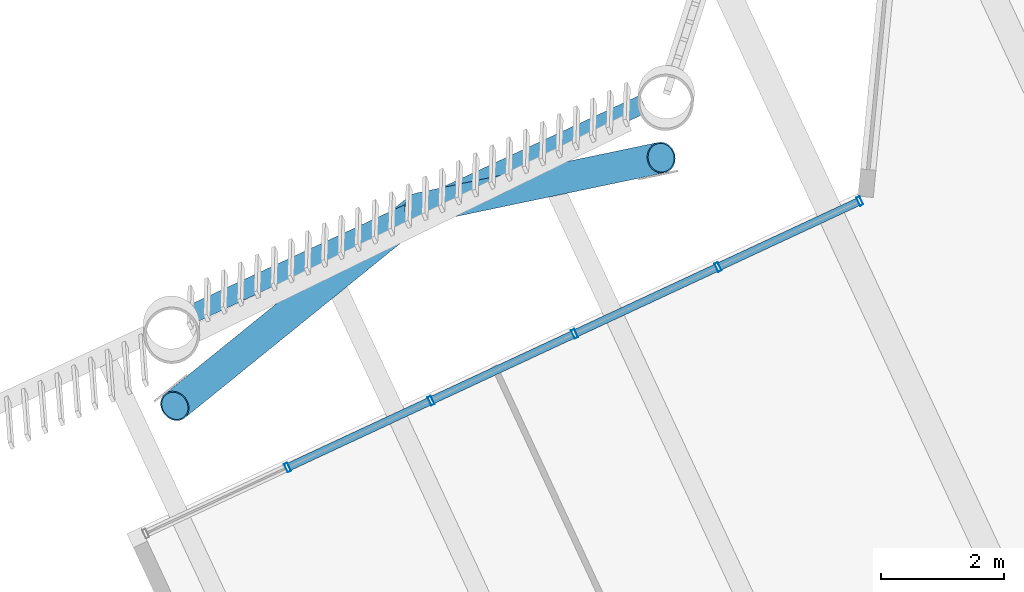
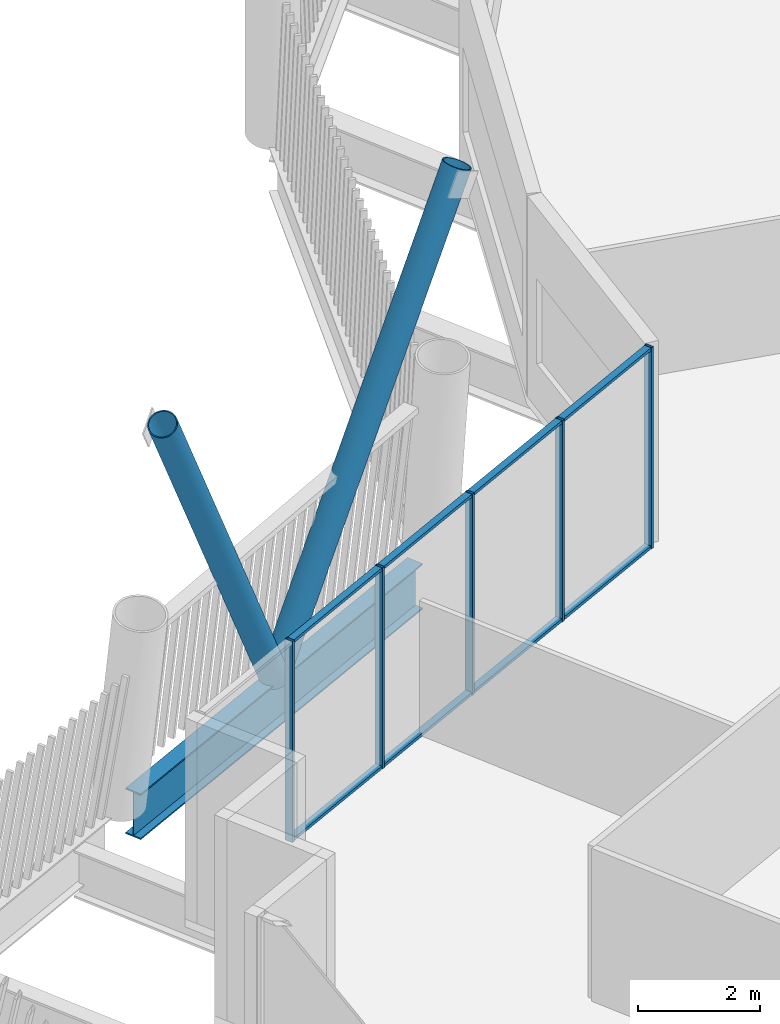
# One storey, part 12 of 36: 15 members, 1 beam, 1 element without a shape of its own.
"""IFC4 building model written with IfcOpenShell, lengths in metres."""

import ifcopenshell
import ifcopenshell.guid

model = None  # the IFC model being written
_history = None  # IfcOwnerHistory: only IFC2X3 demands one
_inside = {}  # id of a spatial element -> (the spatial element, [elements in it])
_under = {}  # id of a project, library or spatial element -> (it, [spatial elements below it])
_declared = {}  # id of a project -> (the project, [libraries it declares])
_typed = {}  # id of a type object -> (the type object, [elements of that type])
_made_of = {}  # id of a material, layer set ... -> (it, [elements and type objects made of it])


def new_model(schema):
    """Start an empty IFC model of exactly this schema.

    Asked for "IFC4X3", IfcOpenShell would pick the latest addendum, in which some entities
    have other attributes; the version numbers below select the first issue.
    IFC2X3 requires an IfcOwnerHistory on every rooted entity: one is made here for all.
    """
    global model, _history
    if schema == "IFC4X3":
        model = ifcopenshell.file(schema_version=(4, 3, 0, 0))
    else:
        model = ifcopenshell.file(schema=schema)
    _inside.clear()
    _under.clear()
    _declared.clear()
    _typed.clear()
    _made_of.clear()
    _history = None
    if model.schema == "IFC2X3":
        org = make("IfcOrganization", Name="unknown")
        user = make(
            "IfcPersonAndOrganization",
            ThePerson=make("IfcPerson", FamilyName="unknown"),
            TheOrganization=org,
        )
        app = make(
            "IfcApplication",
            ApplicationDeveloper=org,
            Version="unknown",
            ApplicationFullName="unknown",
            ApplicationIdentifier="unknown",
        )
        _history = make(
            "IfcOwnerHistory",
            OwningUser=user,
            OwningApplication=app,
            ChangeAction="ADDED",
            CreationDate=0,
        )
    return model


def make(cls, **values):
    """One entity of the class cls with the attributes given. An attribute that is None is left unset."""
    return model.create_entity(
        cls, **{name: value for name, value in values.items() if value is not None}
    )


def rooted(cls, **values):
    """An entity with a GlobalId (a new one), such as an element, a storey or a relation."""
    return make(cls, GlobalId=ifcopenshell.guid.new(), OwnerHistory=_history, **values)


def si_unit(unit_type, name, prefix=None):
    """IfcSIUnit, for example si_unit("LENGTHUNIT", "METRE", prefix="MILLI")."""
    return make("IfcSIUnit", UnitType=unit_type, Prefix=prefix, Name=name)


def assignment(units):
    """IfcUnitAssignment: the units of a project."""
    return None if units is None else make("IfcUnitAssignment", Units=units)


def point(xyz):
    """IfcCartesianPoint."""
    return None if xyz is None else make("IfcCartesianPoint", Coordinates=xyz)


def direction(xyz):
    """IfcDirection."""
    return None if xyz is None else make("IfcDirection", DirectionRatios=xyz)


def frame(location, z_axis=None, x_axis=None):
    """IfcAxis2Placement3D, a coordinate frame: its origin and axes. An axis left out is left unset."""
    return make(
        "IfcAxis2Placement3D",
        Location=point(location),
        Axis=direction(z_axis),
        RefDirection=direction(x_axis),
    )


def frame_2d(location, x_axis=None):
    """IfcAxis2Placement2D, a coordinate frame in the plane: its origin and x axis."""
    return make(
        "IfcAxis2Placement2D", Location=point(location), RefDirection=direction(x_axis)
    )


def origin():
    """The frame at (0, 0, 0) with its axes left unset."""
    return frame((0.0, 0.0, 0.0))


def origin_2d():
    """The frame at (0, 0) in the plane with its x axis left unset."""
    return frame_2d((0.0, 0.0))


def place(relative_to, where):
    """IfcLocalPlacement: puts the frame where relative to a parent placement (None: the world)."""
    return make(
        "IfcLocalPlacement", PlacementRelTo=relative_to, RelativePlacement=where
    )


def context(
    kind, dimensions, precision=None, world=None, true_north=None, identifier=None
):
    """IfcGeometricRepresentationContext, for example the 3D "Model" context."""
    return make(
        "IfcGeometricRepresentationContext",
        ContextIdentifier=identifier,
        ContextType=kind,
        CoordinateSpaceDimension=dimensions,
        Precision=precision,
        WorldCoordinateSystem=world,
        TrueNorth=true_north,
    )


def subcontext(parent, identifier, kind, view, scale=None):
    """IfcGeometricRepresentationSubContext, for example "Body" below "Model"."""
    return make(
        "IfcGeometricRepresentationSubContext",
        ContextIdentifier=identifier,
        ContextType=kind,
        ParentContext=parent,
        TargetScale=scale,
        TargetView=view,
    )


def project(units=None, contexts=None):
    """IfcProject with its units and contexts."""
    return rooted(
        "IfcProject",
        Name="project",
        RepresentationContexts=contexts,
        UnitsInContext=assignment(units),
    )


def spatial(cls, under=None, at=None, **own):
    """A site, building, storey or space (cls), placed at a placement, below another one or the project."""
    s = rooted(cls, ObjectPlacement=at, **own)
    if under is not None:
        _under.setdefault(under.id(), (under, []))[1].append(s)
    return s


def profile(cls, at=None, kind="AREA", **sizes):
    """A parametric profile (cls). Its sizes go by their IFC names, for example OverallWidth=200.0."""
    return make(cls, ProfileType=kind, Position=at, **sizes)


def hollow_rectangle(**sizes):
    """IfcRectangleHollowProfileDef."""
    return profile("IfcRectangleHollowProfileDef", **sizes)


def hollow_circle(**sizes):
    """IfcCircleHollowProfileDef."""
    return profile("IfcCircleHollowProfileDef", **sizes)


def i_section(**sizes):
    """IfcIShapeProfileDef."""
    return profile("IfcIShapeProfileDef", **sizes)


def extrude(swept, where, along, depth):
    """IfcExtrudedAreaSolid: the profile swept, set in the frame where, extruded along a direction by depth."""
    return make(
        "IfcExtrudedAreaSolid",
        SweptArea=swept,
        Position=where,
        ExtrudedDirection=direction(along),
        Depth=depth,
    )


def shape(context_of_items, identifier, shape_type, items):
    """IfcShapeRepresentation: the items that make up one representation, for example the "Body"."""
    return make(
        "IfcShapeRepresentation",
        ContextOfItems=context_of_items,
        RepresentationIdentifier=identifier,
        RepresentationType=shape_type,
        Items=items,
    )


def material(Name=None, Category=None):
    """IfcMaterial."""
    return make("IfcMaterial", Name=Name, Category=Category)


def layer(
    of_material, thickness, ventilated=None, Name=None, Category=None, Priority=None
):
    """IfcMaterialLayer: one layer of a wall or slab, of a material (None: an air gap)."""
    return make(
        "IfcMaterialLayer",
        Material=of_material,
        LayerThickness=thickness,
        IsVentilated=ventilated,
        Name=Name,
        Category=Category,
        Priority=Priority,
    )


def layer_set(layers, Name=None):
    """IfcMaterialLayerSet."""
    return make("IfcMaterialLayerSet", MaterialLayers=layers, LayerSetName=Name)


def material_profile(
    of_material, cross_section, Name=None, Category=None, Priority=None
):
    """IfcMaterialProfile: a cross section and its material."""
    return make(
        "IfcMaterialProfile",
        Name=Name,
        Material=of_material,
        Profile=cross_section,
        Priority=Priority,
        Category=Category,
    )


def profile_set(profiles, Name=None, composite=None):
    """IfcMaterialProfileSet."""
    return make(
        "IfcMaterialProfileSet",
        Name=Name,
        MaterialProfiles=profiles,
        CompositeProfile=composite,
    )


def made_of(thing, what):
    """Note that an element or type object is made of a material, layer set ...; save() writes the relation."""
    if what is not None:
        _made_of.setdefault(what.id(), (what, []))[1].append(thing)
    return thing


def type_object(cls, material=None, **own):
    """A type object (cls), such as IfcWallType, which elements share."""
    return made_of(rooted(cls, **own), material)


def element(
    cls,
    number,
    at=None,
    inside=None,
    cuts=None,
    type_object=None,
    material=None,
    context=None,
    identifier="Body",
    shape_type=None,
    held_by="IfcProductDefinitionShape",
    body=None,
    shapes=None,
    **own,
):
    """One element of the class cls, such as IfcWall. Its Tag is "e" and its number.

    at: its placement. inside: the storey or other place that contains it. cuts: it is an
    opening in that element (IfcRelVoidsElement). A single representation is given by context,
    identifier, shape_type and body (its items); several are given by shapes. held_by: the class
    of the entity that holds the representations. save() writes the other relations.
    """
    e = rooted(cls, Tag="e%d" % number, ObjectPlacement=at, **own)
    if body is not None:
        shapes = [shape(context, identifier, shape_type, body)]
    if shapes is not None:
        e.Representation = make(held_by, Representations=shapes)
    if inside is not None:
        _inside.setdefault(inside.id(), (inside, []))[1].append(e)
    if cuts is not None:
        rooted(
            "IfcRelVoidsElement", RelatingBuildingElement=cuts, RelatedOpeningElement=e
        )
    if type_object is not None:
        _typed.setdefault(type_object.id(), (type_object, []))[1].append(e)
    return made_of(e, material)


def aggregate(whole, parts):
    """IfcRelAggregates: a whole, such as a stair, and the parts it consists of."""
    return rooted("IfcRelAggregates", RelatingObject=whole, RelatedObjects=parts)


def save(model, path):
    """Write the relations noted so far, then the file.

    IfcRelAggregates (storeys below a building ...), IfcRelContainedInSpatialStructure (elements
    in a storey), IfcRelDefinesByType, IfcRelAssociatesMaterial and IfcRelDeclares: one each for
    every whole, place, type object, material and project.
    """
    for whole, parts in _under.values():
        aggregate(whole, parts)
    for where, things in _inside.values():
        rooted(
            "IfcRelContainedInSpatialStructure",
            RelatedElements=things,
            RelatingStructure=where,
        )
    for kind, things in _typed.values():
        rooted("IfcRelDefinesByType", RelatedObjects=things, RelatingType=kind)
    for what, things in _made_of.values():
        rooted("IfcRelAssociatesMaterial", RelatedObjects=things, RelatingMaterial=what)
    for by, libraries in _declared.values():
        rooted("IfcRelDeclares", RelatingContext=by, RelatedDefinitions=libraries)
    model.write(path)


model = new_model("IFC4")

# Units and contexts
model_context = context("Model", 3, precision=1e-05, world=origin(), true_north=direction((0.0, 1.0)))
body_context = subcontext(model_context, "Body", "Model", "MODEL_VIEW")
ifc_project = project(units=[si_unit("LENGTHUNIT", "METRE"), si_unit("AREAUNIT", "SQUARE_METRE"), si_unit("VOLUMEUNIT", "CUBIC_METRE"), si_unit("PLANEANGLEUNIT", "RADIAN"), si_unit("MASSUNIT", "GRAM", prefix="KILO")], contexts=[model_context])

# Site, building, storey
site_placement = place(None, origin())
site = spatial("IfcSite", under=ifc_project, at=site_placement, CompositionType="ELEMENT")
building_placement = place(site_placement, origin())
building = spatial("IfcBuilding", under=site, at=building_placement, Name="Tarsis Ring Headquarters", CompositionType="ELEMENT")
storey_placement = place(building_placement, frame((0.0, 0.0, 386.0)))
storey = spatial("IfcBuildingStorey", under=building, at=storey_placement, Name="L91", CompositionType="ELEMENT", Elevation=386.0)

# Curtain wall, members
ifc_material_1 = material(Name="Aluminium curtain wall", Category="aluminium")
ifc_layer = layer(ifc_material_1, 0.14990234375)
ifc_layer_set = layer_set([ifc_layer], Name="Curtain wall tower unit")
curtain_wall_type = type_object("IfcCurtainWallType", Name="Curtain wall tower unit", PredefinedType="NOTDEFINED", material=ifc_layer_set)
curtain_wall_placement = place(storey_placement, origin())
curtain_wall = element("IfcCurtainWall", 1, at=curtain_wall_placement, inside=storey, type_object=curtain_wall_type, Name="Curtain wall L91-31", PredefinedType="NOTDEFINED")
ifc_material_2 = material(Name="Aluminium mullion", Category="aluminium")
ifc_material_profile_1 = material_profile(ifc_material_2, hollow_rectangle(XDim=0.14990234375, YDim=0.06005859375, WallThickness=0.0048828125, at=origin_2d()), Name="RHS 150x60x5")
ifc_profile_set_1 = profile_set([ifc_material_profile_1], Name="Aluminium mullion")
member_type_1 = type_object("IfcMemberType", Name="Curtain wall mullion tower unit RHS 150x60x5", PredefinedType="MULLION", material=ifc_profile_set_1)
member_1_placement = place(storey_placement, frame((-25.7529296875, 1.111328125, 0.0), z_axis=(0.0, 0.0, 1.0), x_axis=(0.421985462113, -0.906602597484, 0.0)))
member_1 = element("IfcMember", 2, at=member_1_placement, type_object=member_type_1, Name="CW-T mullion 1", PredefinedType="MULLION", context=body_context, shape_type="SweptSolid", body=[
    extrude(hollow_rectangle(XDim=0.14990234375, YDim=0.06005859375, WallThickness=0.0048828125, at=origin_2d()), origin(), (0.0, 0.0, 1.0), 4.0400390625),
])
member_2_placement = place(storey_placement, frame((-28.06494140625, 0.03515625, 0.0), z_axis=(0.0, 0.0, 1.0), x_axis=(0.421985462113, -0.906602597484, 0.0)))
member_2 = element("IfcMember", 3, at=member_2_placement, type_object=member_type_1, Name="CW-T mullion 2", PredefinedType="MULLION", context=body_context, shape_type="SweptSolid", body=[
    extrude(hollow_rectangle(XDim=0.14990234375, YDim=0.06005859375, WallThickness=0.0048828125, at=origin_2d()), origin(), (0.0, 0.0, 1.0), 4.0400390625),
])
member_3_placement = place(storey_placement, frame((-30.404296875, -1.053466796875, 0.0), z_axis=(0.0, 0.0, 1.0), x_axis=(0.421985462113, -0.906602597484, 0.0)))
member_3 = element("IfcMember", 4, at=member_3_placement, type_object=member_type_1, Name="CW-T mullion 3", PredefinedType="MULLION", context=body_context, shape_type="SweptSolid", body=[
    extrude(hollow_rectangle(XDim=0.14990234375, YDim=0.06005859375, WallThickness=0.0048828125, at=origin_2d()), origin(), (0.0, 0.0, 1.0), 4.0400390625),
])
member_4_placement = place(storey_placement, frame((-32.74365234375, -2.142333984375, 0.0), z_axis=(0.0, 0.0, 1.0), x_axis=(0.421985462113, -0.906602597484, 0.0)))
member_4 = element("IfcMember", 5, at=member_4_placement, type_object=member_type_1, Name="CW-T mullion 4", PredefinedType="MULLION", context=body_context, shape_type="SweptSolid", body=[
    extrude(hollow_rectangle(XDim=0.14990234375, YDim=0.06005859375, WallThickness=0.0048828125, at=origin_2d()), origin(), (0.0, 0.0, 1.0), 4.0400390625),
])
member_5_placement = place(storey_placement, frame((-35.082763671875, -3.231201171875, 0.0), z_axis=(0.0, 0.0, 1.0), x_axis=(0.421985462113, -0.906602597484, 0.0)))
member_5 = element("IfcMember", 6, at=member_5_placement, type_object=member_type_1, Name="CW-T mullion 5", PredefinedType="MULLION", context=body_context, shape_type="SweptSolid", body=[
    extrude(hollow_rectangle(XDim=0.14990234375, YDim=0.06005859375, WallThickness=0.0048828125, at=origin_2d()), origin(), (0.0, 0.0, 1.0), 4.0400390625),
])
ifc_material_3 = material(Name="Aluminium transom", Category="aluminium")
ifc_material_profile_2 = material_profile(ifc_material_3, hollow_rectangle(XDim=0.1298828125, YDim=0.06005859375, WallThickness=0.0048828125, at=origin_2d()), Name="RHS 130x60x5")
ifc_profile_set_2 = profile_set([ifc_material_profile_2], Name="Aluminium transom")
member_type_2 = type_object("IfcMemberType", Name="Curtain wall transom tower unit RHS 130x60x5", PredefinedType="USERDEFINED", material=ifc_profile_set_2)
member_6_placement = place(storey_placement, frame((-25.7802734375, 1.098876953125, 0.030029296875), z_axis=(-0.906568479319, -0.422058754566, 0.0), x_axis=(0.422058754566, -0.906568479319, 0.0)))
member_6 = element("IfcMember", 7, at=member_6_placement, type_object=member_type_2, Name="CW-T transom 1.1", ObjectType="TRANSOM", PredefinedType="USERDEFINED", context=body_context, shape_type="SweptSolid", body=[
    extrude(hollow_rectangle(XDim=0.1298828125, YDim=0.06005859375, WallThickness=0.0048828125, at=origin_2d()), origin(), (0.0, 0.0, 1.0), 2.490234375),
])
member_7_placement = place(storey_placement, frame((-25.7802734375, 1.098876953125, 4.010009765625), z_axis=(-0.906568479319, -0.422058754566, 0.0), x_axis=(0.422058754566, -0.906568479319, 0.0)))
member_7 = element("IfcMember", 8, at=member_7_placement, type_object=member_type_2, Name="CW-T transom 1.2", ObjectType="TRANSOM", PredefinedType="USERDEFINED", context=body_context, shape_type="SweptSolid", body=[
    extrude(hollow_rectangle(XDim=0.1298828125, YDim=0.06005859375, WallThickness=0.0048828125, at=origin_2d()), origin(), (0.0, 0.0, 1.0), 2.490234375),
])
member_8_placement = place(storey_placement, frame((-28.09228515625, 0.022705078125, 0.030029296875), z_axis=(-0.906573754003, -0.422047424531, 0.0), x_axis=(0.422047424531, -0.906573754003, 0.0)))
member_8 = element("IfcMember", 9, at=member_8_placement, type_object=member_type_2, Name="CW-T transom 2.1", ObjectType="TRANSOM", PredefinedType="USERDEFINED", context=body_context, shape_type="SweptSolid", body=[
    extrude(hollow_rectangle(XDim=0.1298828125, YDim=0.06005859375, WallThickness=0.0048828125, at=origin_2d()), origin(), (0.0, 0.0, 1.0), 2.520263671875),
])
member_9_placement = place(storey_placement, frame((-28.09228515625, 0.022705078125, 4.010009765625), z_axis=(-0.906573754003, -0.422047424531, 0.0), x_axis=(0.422047424531, -0.906573754003, 0.0)))
member_9 = element("IfcMember", 10, at=member_9_placement, type_object=member_type_2, Name="CW-T transom 2.2", ObjectType="TRANSOM", PredefinedType="USERDEFINED", context=body_context, shape_type="SweptSolid", body=[
    extrude(hollow_rectangle(XDim=0.1298828125, YDim=0.06005859375, WallThickness=0.0048828125, at=origin_2d()), origin(), (0.0, 0.0, 1.0), 2.520263671875),
])
member_10_placement = place(storey_placement, frame((-30.431396484375, -1.066162109375, 0.030029296875), z_axis=(-0.90661081481, -0.421967807385, 0.0), x_axis=(0.421967807385, -0.90661081481, 0.0)))
member_10 = element("IfcMember", 11, at=member_10_placement, type_object=member_type_2, Name="CW-T transom 3.1", ObjectType="TRANSOM", PredefinedType="USERDEFINED", context=body_context, shape_type="SweptSolid", body=[
    extrude(hollow_rectangle(XDim=0.1298828125, YDim=0.06005859375, WallThickness=0.0048828125, at=origin_2d()), origin(), (0.0, 0.0, 1.0), 2.520263671875),
])
member_11_placement = place(storey_placement, frame((-30.431396484375, -1.066162109375, 4.010009765625), z_axis=(-0.90661081481, -0.421967807385, 0.0), x_axis=(0.421967807385, -0.90661081481, 0.0)))
member_11 = element("IfcMember", 12, at=member_11_placement, type_object=member_type_2, Name="CW-T transom 3.2", ObjectType="TRANSOM", PredefinedType="USERDEFINED", context=body_context, shape_type="SweptSolid", body=[
    extrude(hollow_rectangle(XDim=0.1298828125, YDim=0.06005859375, WallThickness=0.0048828125, at=origin_2d()), origin(), (0.0, 0.0, 1.0), 2.520263671875),
])
member_12_placement = place(storey_placement, frame((-32.770751953125, -2.155029296875, 0.030029296875), z_axis=(-0.90661081481, -0.421967807385, 0.0), x_axis=(0.421967807385, -0.90661081481, 0.0)))
member_12 = element("IfcMember", 13, at=member_12_placement, type_object=member_type_2, Name="CW-T transom 4.1", ObjectType="TRANSOM", PredefinedType="USERDEFINED", context=body_context, shape_type="SweptSolid", body=[
    extrude(hollow_rectangle(XDim=0.1298828125, YDim=0.06005859375, WallThickness=0.0048828125, at=origin_2d()), origin(), (0.0, 0.0, 1.0), 2.520263671875),
])
member_13_placement = place(storey_placement, frame((-32.770751953125, -2.155029296875, 4.010009765625), z_axis=(-0.90661081481, -0.421967807385, 0.0), x_axis=(0.421967807385, -0.90661081481, 0.0)))
member_13 = element("IfcMember", 14, at=member_13_placement, type_object=member_type_2, Name="CW-T transom 4.2", ObjectType="TRANSOM", PredefinedType="USERDEFINED", context=body_context, shape_type="SweptSolid", body=[
    extrude(hollow_rectangle(XDim=0.1298828125, YDim=0.06005859375, WallThickness=0.0048828125, at=origin_2d()), origin(), (0.0, 0.0, 1.0), 2.520263671875),
])
aggregate(curtain_wall, [member_1, member_2, member_3, member_4, member_5, member_6, member_7, member_8, member_9, member_10, member_11, member_12, member_13])

# Members
ifc_material_4 = material(Name="Structural steel S355", Category="steel")
ifc_material_profile_3 = material_profile(ifc_material_4, hollow_circle(Radius=0.25390625, WallThickness=0.02001953125, at=origin_2d()), Name="CHS 508x20")
ifc_profile_set_3 = profile_set([ifc_material_profile_3], Name="Structural steel S355")
member_type_3 = type_object("IfcMemberType", Name="XD X brace CHS 508x20", PredefinedType="BRACE", material=ifc_profile_set_3)
member_14_placement = place(storey_placement, frame((-32.94189453125, 0.99169921875, 0.0), z_axis=(-0.404491895515, -0.327326447693, 0.853957670557), x_axis=(0.629059629052, -0.777357049944, 0.0)))
element("IfcMember", 15, at=member_14_placement, inside=storey, type_object=member_type_3, Name="X brace XD2", PredefinedType="BRACE", context=body_context, shape_type="SweptSolid", body=[
    extrude(hollow_circle(Radius=0.25390625, WallThickness=0.02001953125, at=origin_2d()), origin(), (0.0, 0.0, 1.0), 9.83642578125),
])
member_15_placement = place(storey_placement, frame((-32.94189453125, 0.99169921875, 0.0), z_axis=(0.423900798311, 0.088756931257, 0.901349166719), x_axis=(-0.204937276263, 0.978775108387, 0.0)))
element("IfcMember", 16, at=member_15_placement, inside=storey, type_object=member_type_3, Name="X brace XD2", PredefinedType="BRACE", context=body_context, shape_type="SweptSolid", body=[
    extrude(hollow_circle(Radius=0.25390625, WallThickness=0.02001953125, at=origin_2d()), origin(), (0.0, 0.0, 1.0), 9.3193359375),
])

# Beam
ifc_material_profile_4 = material_profile(ifc_material_4, i_section(OverallWidth=0.3046875, OverallDepth=0.91943359375, WebThickness=0.017333984375, FlangeThickness=0.02783203125, at=origin_2d()), Name="W36x170")
ifc_profile_set_4 = profile_set([ifc_material_profile_4], Name="Structural steel S355")
beam_type = type_object("IfcBeamType", Name="XG Ring girder W36x170", PredefinedType="BEAM", material=ifc_profile_set_4)
beam_placement = place(storey_placement, frame((-29.279541015625, 2.6962890625, -0.459716796875), z_axis=(-0.906610365193, -0.4219687734, 0.0), x_axis=(0.4219687734, -0.906610365193, 0.0)))
element("IfcBeam", 17, at=beam_placement, inside=storey, type_object=beam_type, Name="Ring girder XG4", PredefinedType="BEAM", context=body_context, shape_type="SweptSolid", body=[
    extrude(i_section(OverallWidth=0.3046875, OverallDepth=0.91943359375, WebThickness=0.017333984375, FlangeThickness=0.02783203125, at=origin_2d()), origin(), (0.0, 0.0, 1.0), 8.0791015625),
])

save(model, "model.ifc")
